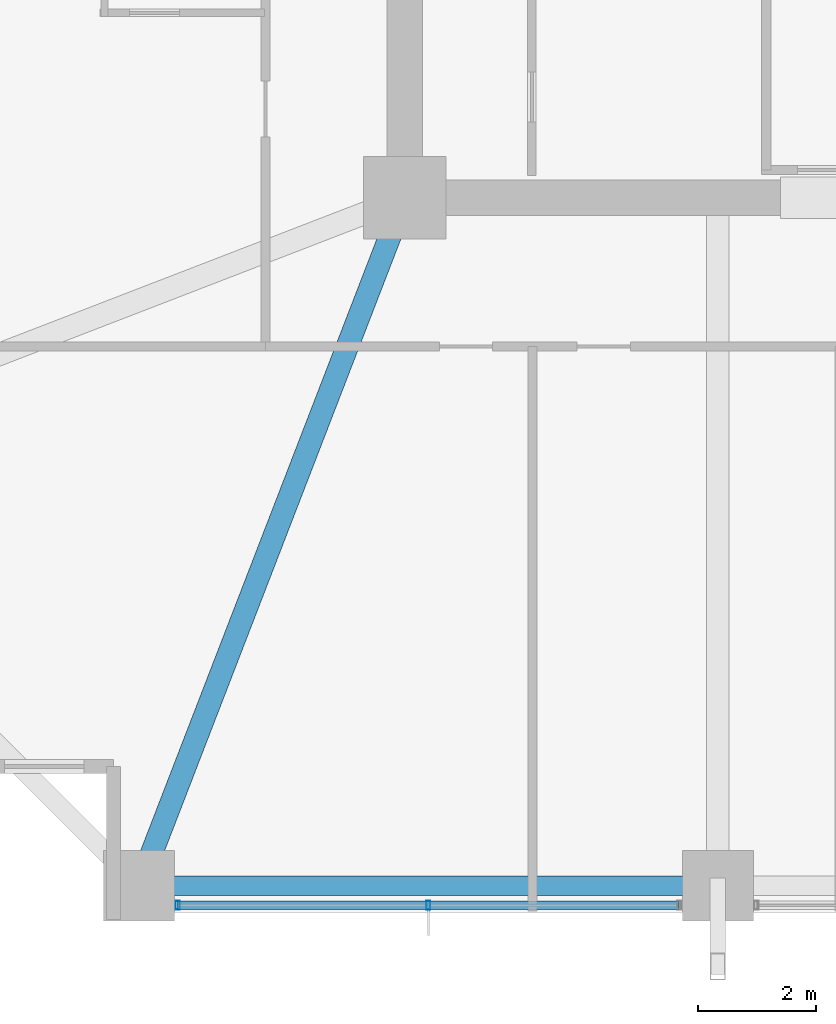
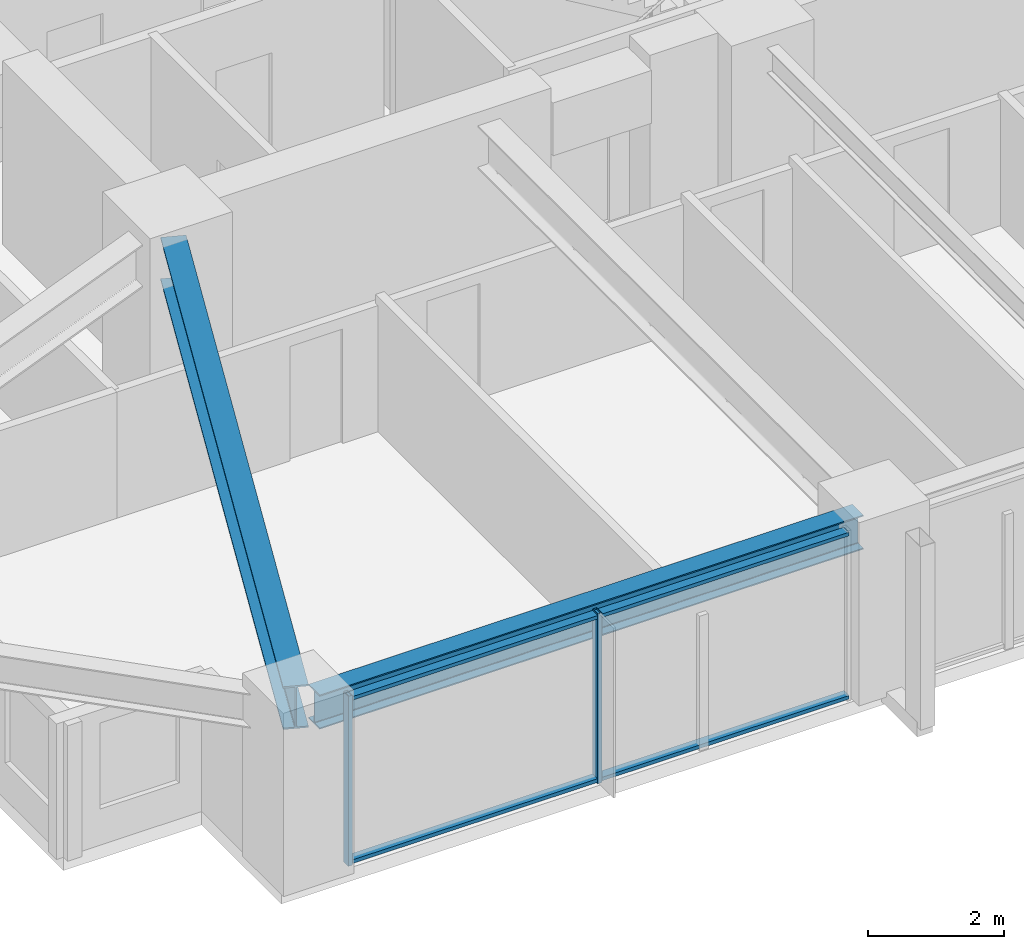
# One storey, part 2 of 38: 4 members, 2 beams, 1 element without a shape of its own.
"""IFC4 building model written with IfcOpenShell, lengths in metres."""

from ifc_helpers import new_model, si_unit, direction, frame, origin, origin_2d, place, context, subcontext, project, spatial, hollow_rectangle, i_section, extrude, material, material_profile, profile_set, type_object, element, aggregate, save


model = new_model("IFC4")

# Units and contexts
model_context = context("Model", 3, precision=1e-05, world=origin(), true_north=direction((0.0, 1.0)))
body_context = subcontext(model_context, "Body", "Model", "MODEL_VIEW")
ifc_project = project(units=[si_unit("LENGTHUNIT", "METRE"), si_unit("AREAUNIT", "SQUARE_METRE"), si_unit("VOLUMEUNIT", "CUBIC_METRE"), si_unit("PLANEANGLEUNIT", "RADIAN"), si_unit("MASSUNIT", "GRAM", prefix="KILO")], contexts=[model_context])

# Site, building, storey
site_placement = place(None, origin())
site = spatial("IfcSite", under=ifc_project, at=site_placement, CompositionType="ELEMENT")
building_placement = place(site_placement, origin())
building = spatial("IfcBuilding", under=site, at=building_placement, Name="Kolvaren Belvedere", CompositionType="ELEMENT")
storey_placement = place(building_placement, frame((0.0, 0.0, 53.5)))
storey = spatial("IfcBuildingStorey", under=building, at=storey_placement, Name="L15", CompositionType="ELEMENT", Elevation=53.5)

# Beams
ifc_material_1 = material(Name="Structural steel ASTM A992 Grade 50", Category="steel")
ifc_material_profile_1 = material_profile(ifc_material_1, i_section(OverallWidth=0.381103515625, OverallDepth=0.77294921875, WebThickness=0.0166015625, FlangeThickness=0.027099609375, FilletRadius=0.02392578125, at=origin_2d()), Name="W30X173")
ifc_profile_set_1 = profile_set([ifc_material_profile_1], Name="Structural steel ASTM A992 Grade 50")
beam_type_1 = type_object("IfcBeamType", Name="BM-GIRD-W30X173", PredefinedType="BEAM", material=ifc_profile_set_1)
beam_1_placement = place(storey_placement, frame((-10.09814453125, -10.4130859375, 2.673583984375), z_axis=(-0.360318391835, -0.932829382313, 0.0), x_axis=(0.932829382313, -0.360318391835, 0.0)))
element("IfcBeam", 1, at=beam_1_placement, inside=storey, type_object=beam_type_1, Name="L15 Corner Core-to-Perimeter Girder CC1-S1", PredefinedType="BEAM", context=body_context, shape_type="SweptSolid", body=[
    extrude(i_section(OverallWidth=0.381103515625, OverallDepth=0.77294921875, WebThickness=0.0166015625, FlangeThickness=0.027099609375, FilletRadius=0.02392578125, at=origin_2d()), origin(), (0.0, 0.0, 1.0), 11.698974609375),
])
ifc_material_2 = material(Name="Structural steel ASTM A992 Grade 50", Category="steel")
ifc_material_profile_2 = material_profile(ifc_material_2, i_section(OverallWidth=0.324951171875, OverallDepth=0.615966796875, WebThickness=0.013916015625, FlangeThickness=0.021484375, FilletRadius=0.02001953125, at=origin_2d()), Name="W24X117")
ifc_profile_set_2 = profile_set([ifc_material_profile_2], Name="Structural steel ASTM A992 Grade 50")
beam_type_2 = type_object("IfcBeamType", Name="BM-SPAN-W24X117", PredefinedType="SPANDREL", material=ifc_profile_set_2)
beam_2_placement = place(storey_placement, frame((-14.1298828125, -21.550048828125, 2.751953125), z_axis=(1.0, 0.0, 0.0), x_axis=(0.0, 1.0, 0.0)))
element("IfcBeam", 2, at=beam_2_placement, inside=storey, type_object=beam_type_2, Name="L15 Perimeter Spandrel S1-S2", PredefinedType="SPANDREL", context=body_context, shape_type="SweptSolid", body=[
    extrude(i_section(OverallWidth=0.324951171875, OverallDepth=0.615966796875, WebThickness=0.013916015625, FlangeThickness=0.021484375, FilletRadius=0.02001953125, at=origin_2d()), origin(), (0.0, 0.0, 1.0), 9.259765625),
])

# Curtain wall, members
ifc_material_3 = material(Name="Anodised pale-metal aluminium AA 6063-T6", Category="aluminium")
curtain_wall_type = type_object("IfcCurtainWallType", Name="CW-Z1-LOW", PredefinedType="NOTDEFINED", material=ifc_material_3)
curtain_wall_placement = place(storey_placement, origin())
curtain_wall = element("IfcCurtainWall", 3, at=curtain_wall_placement, inside=storey, type_object=curtain_wall_type, Name="L15 Unitised Curtain Wall FCW-L15-S-B3", PredefinedType="NOTDEFINED")
ifc_material_4 = material(Name="Anodised pale-metal aluminium AA 6063-T6", Category="aluminium")
ifc_material_profile_3 = material_profile(ifc_material_4, hollow_rectangle(XDim=0.070068359375, YDim=0.14990234375, WallThickness=0.004150390625, at=origin_2d()), Name="ALU-MUL-150X70")
ifc_profile_set_3 = profile_set([ifc_material_profile_3], Name="Anodised pale-metal aluminium AA 6063-T6")
member_type_1 = type_object("IfcMemberType", Name="CW-MUL-150", PredefinedType="MULLION", material=ifc_profile_set_3)
member_1_placement = place(storey_placement, frame((-9.5, -21.8798828125, 0.0), z_axis=(0.0, 0.0, 1.0), x_axis=(1.0, 0.0, 0.0)))
member_1 = element("IfcMember", 4, at=member_1_placement, type_object=member_type_1, Name="FCW-L15-S-B3 Unitised Mullion 2", PredefinedType="MULLION", context=body_context, shape_type="SweptSolid", body=[
    extrude(hollow_rectangle(XDim=0.070068359375, YDim=0.14990234375, WallThickness=0.004150390625, at=origin_2d()), origin(), (0.0, 0.0, 1.0), 3.06005859375),
])
member_2_placement = place(storey_placement, frame((-13.7451171875, -21.8798828125, 0.0), z_axis=(0.0, 0.0, 1.0), x_axis=(1.0, 0.0, 0.0)))
member_2 = element("IfcMember", 5, at=member_2_placement, type_object=member_type_1, Name="FCW-L15-S-B3 Unitised Mullion 3", PredefinedType="MULLION", context=body_context, shape_type="SweptSolid", body=[
    extrude(hollow_rectangle(XDim=0.070068359375, YDim=0.14990234375, WallThickness=0.004150390625, at=origin_2d()), origin(), (0.0, 0.0, 1.0), 3.06005859375),
])
ifc_material_5 = material(Name="Anodised pale-metal aluminium AA 6063-T6", Category="aluminium")
ifc_material_profile_4 = material_profile(ifc_material_5, hollow_rectangle(XDim=0.06494140625, YDim=0.14990234375, WallThickness=0.00390625, at=origin_2d()), Name="ALU-TRN-150X65")
ifc_profile_set_4 = profile_set([ifc_material_profile_4], Name="Anodised pale-metal aluminium AA 6063-T6")
member_type_2 = type_object("IfcMemberType", Name="CW-TRN-150", PredefinedType="USERDEFINED", material=ifc_profile_set_4)
member_3_placement = place(storey_placement, frame((-5.2548828125, -21.8798828125, 0.06005859375), z_axis=(-1.0, 0.0, 0.0), x_axis=(0.0, 0.0, 1.0)))
member_3 = element("IfcMember", 6, at=member_3_placement, type_object=member_type_2, Name="FCW-L15-S-B3 Sill Transom", ObjectType="TRANSOM", PredefinedType="USERDEFINED", context=body_context, shape_type="SweptSolid", body=[
    extrude(hollow_rectangle(XDim=0.06494140625, YDim=0.14990234375, WallThickness=0.00390625, at=origin_2d()), origin(), (0.0, 0.0, 1.0), 8.490234375),
])
member_4_placement = place(storey_placement, frame((-5.2548828125, -21.8798828125, 3.0), z_axis=(-1.0, 0.0, 0.0), x_axis=(0.0, 0.0, 1.0)))
member_4 = element("IfcMember", 7, at=member_4_placement, type_object=member_type_2, Name="FCW-L15-S-B3 Head Transom", ObjectType="TRANSOM", PredefinedType="USERDEFINED", context=body_context, shape_type="SweptSolid", body=[
    extrude(hollow_rectangle(XDim=0.06494140625, YDim=0.14990234375, WallThickness=0.00390625, at=origin_2d()), origin(), (0.0, 0.0, 1.0), 8.490234375),
])
aggregate(curtain_wall, [member_1, member_2, member_3, member_4])

save(model, "model.ifc")
